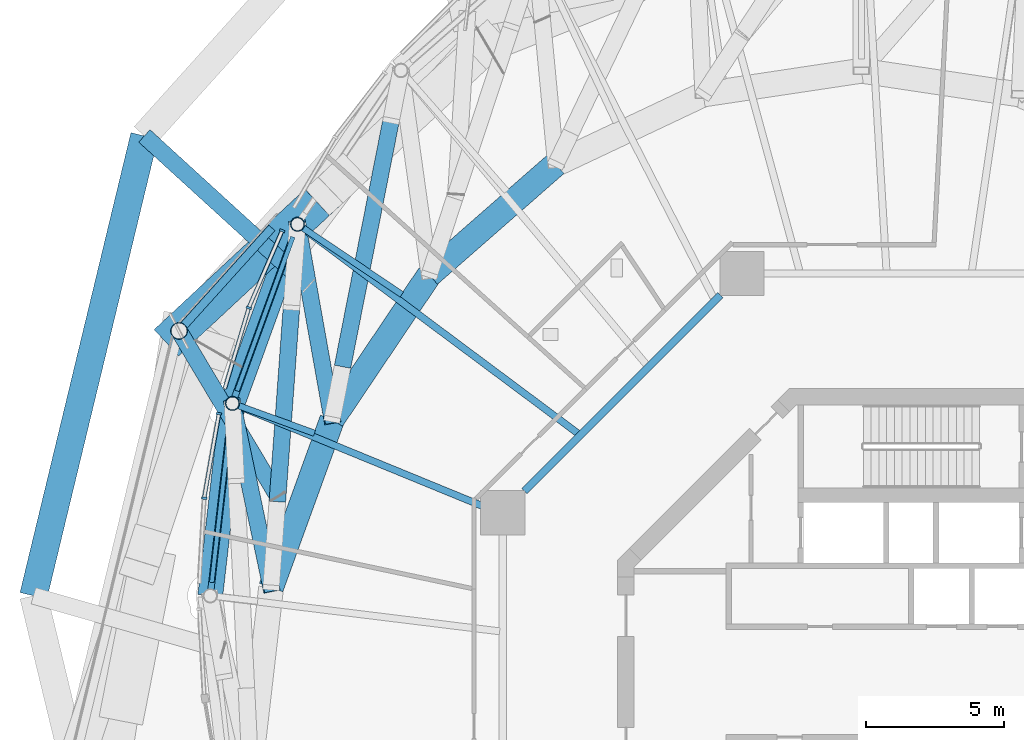
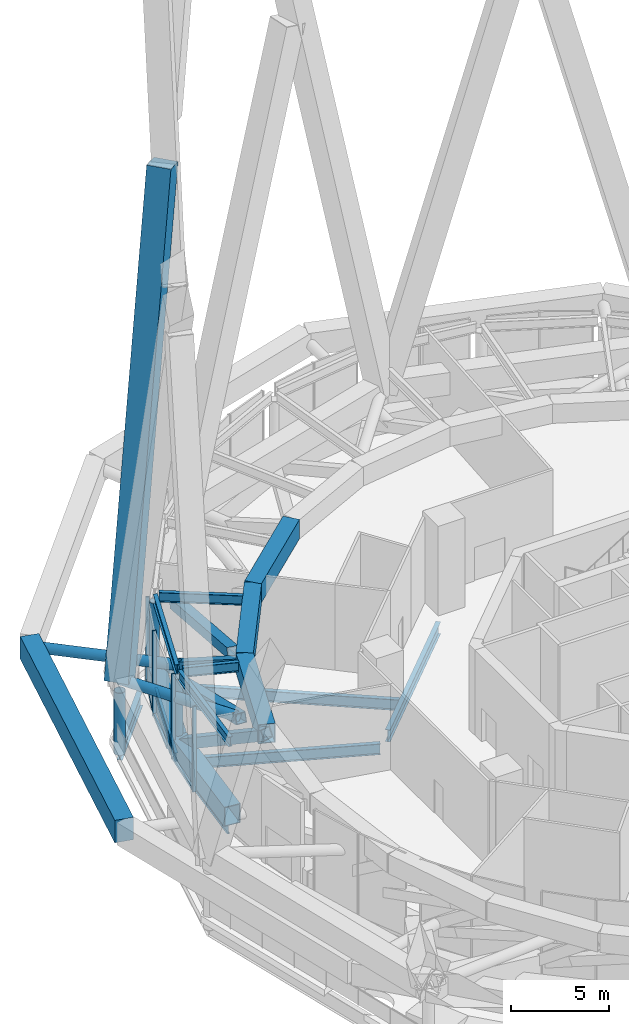
# One storey, part 17 of 48: 19 beams, 14 members, 4 elements without a shape of their own.
"""IFC4 building model written with IfcOpenShell, lengths in metres."""

from ifc_helpers import new_model, si_unit, direction, frame, origin, origin_2d, place, context, subcontext, project, spatial, rectangle, hollow_rectangle, hollow_circle, i_section, extrude, material, layer, layer_set, material_profile, profile_set, type_object, element, aggregate, save


model = new_model("IFC4")

# Units and contexts
model_context = context("Model", 3, precision=1e-05, world=origin(), true_north=direction((0.0, 1.0)))
body_context = subcontext(model_context, "Body", "Model", "MODEL_VIEW")
ifc_project = project(units=[si_unit("LENGTHUNIT", "METRE"), si_unit("AREAUNIT", "SQUARE_METRE"), si_unit("VOLUMEUNIT", "CUBIC_METRE"), si_unit("PLANEANGLEUNIT", "RADIAN"), si_unit("MASSUNIT", "GRAM", prefix="KILO")], contexts=[model_context])

# Site, building, storey
site_placement = place(None, origin())
site = spatial("IfcSite", under=ifc_project, at=site_placement, CompositionType="ELEMENT")
building_placement = place(site_placement, origin())
building = spatial("IfcBuilding", under=site, at=building_placement, Name="Nagisa Residences", CompositionType="ELEMENT")
storey_placement = place(building_placement, frame((0.0, 0.0, 252.89990234375)))
storey = spatial("IfcBuildingStorey", under=building, at=storey_placement, Name="L64", CompositionType="ELEMENT", Elevation=252.89990234375)

# Beams
ifc_material_1 = material(Name="Steel ASTM A572 Gr 50", Category="steel")
ifc_material_profile_1 = material_profile(ifc_material_1, hollow_rectangle(XDim=0.89990234375, YDim=1.199951171875, WallThickness=0.0400390625, at=origin_2d()), Name="BX 900x1200x40")
ifc_profile_set_1 = profile_set([ifc_material_profile_1], Name="Steel ASTM A572 Gr 50")
beam_type_1 = type_object("IfcBeamType", Name="Belt chord 5 BX 900x1200x40", PredefinedType="BEAM", material=ifc_profile_set_1)
beam_1_placement = place(storey_placement, frame((-12.860107421875, 18.74072265625, 4.739990234375), z_axis=(-0.752368013949, -0.658743023938, 0.0), x_axis=(0.658743023938, -0.752368013949, 0.0)))
element("IfcBeam", 1, at=beam_1_placement, inside=storey, type_object=beam_type_1, Name="beam:L64:bt5t09", PredefinedType="BEAM", context=body_context, shape_type="SweptSolid", body=[
    extrude(hollow_rectangle(XDim=0.89990234375, YDim=1.199951171875, WallThickness=0.0400390625, at=origin_2d()), origin(), (0.0, 0.0, 1.0), 6.0888671875),
])
beam_2_placement = place(storey_placement, frame((-17.441162109375, 14.729736328125, 4.739990234375), z_axis=(-0.558031639604, -0.8298196727, 0.0), x_axis=(0.8298196727, -0.558031639604, 0.0)))
element("IfcBeam", 2, at=beam_2_placement, inside=storey, type_object=beam_type_1, Name="beam:L64:bt5t10", PredefinedType="BEAM", context=body_context, shape_type="SweptSolid", body=[
    extrude(hollow_rectangle(XDim=0.89990234375, YDim=1.199951171875, WallThickness=0.0400390625, at=origin_2d()), origin(), (0.0, 0.0, 1.0), 6.299560546875),
])
beam_3_placement = place(storey_placement, frame((-22.212158203125, 16.562744140625, 0.60009765625), z_axis=(-0.341285604101, -0.939959646173, 0.0), x_axis=(0.939959646173, -0.341285604101, 0.0)))
element("IfcBeam", 3, at=beam_3_placement, inside=storey, type_object=beam_type_1, Name="beam:L64:bt5b11", PredefinedType="BEAM", context=body_context, shape_type="SweptSolid", body=[
    extrude(hollow_rectangle(XDim=0.89990234375, YDim=1.199951171875, WallThickness=0.0400390625, at=origin_2d()), origin(), (0.0, 0.0, 1.0), 6.899658203125),
])
beam_4_placement = place(storey_placement, frame((-20.95654296875, 9.502197265625, 4.739990234375), z_axis=(-0.341213297121, -0.939985896632, 0.0), x_axis=(0.939985896632, -0.341213297121, 0.0)))
element("IfcBeam", 4, at=beam_4_placement, inside=storey, type_object=beam_type_1, Name="beam:L64:bt5t11", PredefinedType="BEAM", context=body_context, shape_type="SweptSolid", body=[
    extrude(hollow_rectangle(XDim=0.89990234375, YDim=1.199951171875, WallThickness=0.0400390625, at=origin_2d()), origin(), (0.0, 0.0, 1.0), 6.47607421875),
])
beam_5_placement = place(storey_placement, frame((-24.56689453125, 10.077392578125, 0.60009765625), z_axis=(-0.114649239058, -0.99340603581, 0.0), x_axis=(0.99340603581, -0.114649239058, 0.0)))
element("IfcBeam", 5, at=beam_5_placement, inside=storey, type_object=beam_type_1, Name="beam:L64:bt5b12", PredefinedType="BEAM", context=body_context, shape_type="SweptSolid", body=[
    extrude(hollow_rectangle(XDim=0.89990234375, YDim=1.199951171875, WallThickness=0.0400390625, at=origin_2d()), origin(), (0.0, 0.0, 1.0), 7.005859375),
])
ifc_material_2 = material(Name="Steel ASTM A572 Gr 50", Category="steel")
ifc_material_profile_2 = material_profile(ifc_material_2, hollow_rectangle(XDim=0.60009765625, YDim=0.60009765625, WallThickness=0.034912109375, at=origin_2d()), Name="BX 600x600x35")
ifc_profile_set_2 = profile_set([ifc_material_profile_2], Name="Steel ASTM A572 Gr 50")
beam_type_2 = type_object("IfcBeamType", Name="Belt diagonal 5 BX 600x600x35", PredefinedType="BEAM", material=ifc_profile_set_2)
beam_6_placement = place(storey_placement, frame((-18.824462890625, 20.316650390625, 1.195068359375), z_axis=(-0.18413457629, -0.934000910503, 0.306164591346), x_axis=(0.981115454287, -0.193423021793, 0.0)))
element("IfcBeam", 6, at=beam_6_placement, inside=storey, type_object=beam_type_2, Name="beam:L64:bt5db10", PredefinedType="BEAM", context=body_context, shape_type="SweptSolid", body=[
    extrude(hollow_rectangle(XDim=0.60009765625, YDim=0.60009765625, WallThickness=0.034912109375, at=origin_2d()), origin(), (0.0, 0.0, 1.0), 9.63525390625),
])
beam_7_placement = place(storey_placement, frame((-22.212158203125, 16.562744140625, 0.60009765625), z_axis=(0.151635281402, -0.852672047081, 0.499957119722), x_axis=(0.984552728171, 0.175088336134, 0.0)))
element("IfcBeam", 7, at=beam_7_placement, inside=storey, type_object=beam_type_2, Name="beam:L64:bt5da11", PredefinedType="BEAM", context=body_context, shape_type="SweptSolid", body=[
    extrude(hollow_rectangle(XDim=0.60009765625, YDim=0.60009765625, WallThickness=0.034912109375, at=origin_2d()), origin(), (0.0, 0.0, 1.0), 8.280517578125),
])
beam_8_placement = place(storey_placement, frame((-22.43115234375, 13.545654296875, 1.550048828125), z_axis=(-0.069036593734, -0.951555472197, 0.299626654451), x_axis=(0.99737849844, -0.072361114205, 0.0)))
element("IfcBeam", 8, at=beam_8_placement, inside=storey, type_object=beam_type_2, Name="beam:L64:bt5db11", PredefinedType="BEAM", context=body_context, shape_type="SweptSolid", body=[
    extrude(hollow_rectangle(XDim=0.60009765625, YDim=0.60009765625, WallThickness=0.034912109375, at=origin_2d()), origin(), (0.0, 0.0, 1.0), 7.475830078125),
])
beam_9_placement = place(storey_placement, frame((-24.56689453125, 10.077392578125, 0.60009765625), z_axis=(0.175780161242, -0.83615837551, 0.519557990968), x_axis=(0.978609478205, 0.205726734205, 0.0)))
element("IfcBeam", 9, at=beam_9_placement, inside=storey, type_object=beam_type_2, Name="beam:L64:bt5da12", PredefinedType="BEAM", context=body_context, shape_type="SweptSolid", body=[
    extrude(hollow_rectangle(XDim=0.60009765625, YDim=0.60009765625, WallThickness=0.034912109375, at=origin_2d()), origin(), (0.0, 0.0, 1.0), 7.968017578125),
])

# Curtain wall, member
ifc_material_3 = material(Name="Aluminium curtain wall system", Category="aluminium")
ifc_layer = layer(ifc_material_3, 0.159912109375)
ifc_layer_set = layer_set([ifc_layer], Name="CW2 CURTAIN WALL")
curtain_wall_type = type_object("IfcCurtainWallType", Name="CW2 CURTAIN WALL", PredefinedType="NOTDEFINED", material=ifc_layer_set)
curtain_wall_1_placement = place(storey_placement, origin())
curtain_wall_1 = element("IfcCurtainWall", 10, at=curtain_wall_1_placement, inside=storey, type_object=curtain_wall_type, Name="cw:CW2:L64:20", PredefinedType="NOTDEFINED")
ifc_material_4 = material(Name="Aluminium", Category="aluminium")
ifc_material_profile_3 = material_profile(ifc_material_4, rectangle(XDim=0.199951171875, YDim=0.080078125, at=origin_2d()), Name="CW2 MULLION 200x80")
ifc_profile_set_3 = profile_set([ifc_material_profile_3], Name="Aluminium")
member_type_1 = type_object("IfcMemberType", Name="CW2 MULLION 200x80", PredefinedType="MULLION", material=ifc_profile_set_3)
member_1_placement = place(storey_placement, frame((-22.7666015625, 16.331298828125, 0.0), z_axis=(0.0, 0.0, 1.0), x_axis=(0.917543276295, -0.397635934147, 0.0)))
member_1 = element("IfcMember", 11, at=member_1_placement, type_object=member_type_1, Name="CW2 mullion", PredefinedType="MULLION", context=body_context, shape_type="SweptSolid", body=[
    extrude(rectangle(XDim=0.199951171875, YDim=0.080078125, at=origin_2d()), origin(), (0.0, 0.0, 1.0), 5.340087890625),
])

curtain_wall_2_placement = place(storey_placement, origin())
curtain_wall_2 = element("IfcCurtainWall", 12, at=curtain_wall_2_placement, inside=storey, type_object=curtain_wall_type, Name="cw:CW2:L64:21", PredefinedType="NOTDEFINED")
member_2_placement = place(storey_placement, frame((-23.97265625, 13.5380859375, 0.0), z_axis=(0.0, 0.0, 1.0), x_axis=(0.958271310082, -0.285860274038, 0.0)))
member_2 = element("IfcMember", 13, at=member_2_placement, type_object=member_type_1, Name="CW2 mullion", PredefinedType="MULLION", context=body_context, shape_type="SweptSolid", body=[
    extrude(rectangle(XDim=0.199951171875, YDim=0.080078125, at=origin_2d()), origin(), (0.0, 0.0, 1.0), 5.340087890625),
])

curtain_wall_3_placement = place(storey_placement, origin())
curtain_wall_3 = element("IfcCurtainWall", 14, at=curtain_wall_3_placement, inside=storey, type_object=curtain_wall_type, Name="cw:CW2:L64:22", PredefinedType="NOTDEFINED")
member_3_placement = place(storey_placement, frame((-25.055419921875, 9.710205078125, 0.0), z_axis=(0.0, 0.0, 1.0), x_axis=(0.985063604377, -0.172190868898, 0.0)))
member_3 = element("IfcMember", 15, at=member_3_placement, type_object=member_type_1, Name="CW2 mullion", PredefinedType="MULLION", context=body_context, shape_type="SweptSolid", body=[
    extrude(rectangle(XDim=0.199951171875, YDim=0.080078125, at=origin_2d()), origin(), (0.0, 0.0, 1.0), 5.340087890625),
])

curtain_wall_4_placement = place(storey_placement, origin())
curtain_wall_4 = element("IfcCurtainWall", 16, at=curtain_wall_4_placement, inside=storey, type_object=curtain_wall_type, Name="cw:CW2:L64:23", PredefinedType="NOTDEFINED")
member_4_placement = place(storey_placement, frame((-25.58642578125, 6.648193359375, 0.0), z_axis=(0.0, 0.0, 1.0), x_axis=(0.998345305184, -0.057503492216, 0.0)))
member_4 = element("IfcMember", 17, at=member_4_placement, type_object=member_type_1, Name="CW2 mullion", PredefinedType="MULLION", context=body_context, shape_type="SweptSolid", body=[
    extrude(rectangle(XDim=0.199951171875, YDim=0.080078125, at=origin_2d()), origin(), (0.0, 0.0, 1.0), 5.340087890625),
])
aggregate(curtain_wall_4, [member_4])

# Member
ifc_material_5 = material(Name="Aluminium", Category="aluminium")
ifc_material_profile_4 = material_profile(ifc_material_5, rectangle(XDim=0.139892578125, YDim=0.179931640625, at=origin_2d()), Name="CW2 TRANSOM 140x180")
ifc_profile_set_4 = profile_set([ifc_material_profile_4], Name="Aluminium")
member_type_2 = type_object("IfcMemberType", Name="CW2 TRANSOM 140x180", PredefinedType="USERDEFINED", material=ifc_profile_set_4)
member_5_placement = place(storey_placement, frame((-22.750732421875, 16.367919921875, 0.090087890625), z_axis=(-0.397652335812, -0.917536168128, 0.0), x_axis=(0.917536168128, -0.397652335812, 0.0)))
member_5 = element("IfcMember", 18, at=member_5_placement, type_object=member_type_2, Name="CW2 transom", ObjectType="TRANSOM", PredefinedType="USERDEFINED", context=body_context, shape_type="SweptSolid", body=[
    extrude(rectangle(XDim=0.139892578125, YDim=0.179931640625, at=origin_2d()), origin(), (0.0, 0.0, 1.0), 3.052001953125),
])

aggregate(curtain_wall_1, [member_1, member_5])

member_6_placement = place(storey_placement, frame((-23.961181640625, 13.576416015625, 0.090087890625), z_axis=(-0.285825485865, -0.958281686995, 0.0), x_axis=(0.958281686995, -0.285825485865, 0.0)))
member_6 = element("IfcMember", 19, at=member_6_placement, type_object=member_type_2, Name="CW2 transom", ObjectType="TRANSOM", PredefinedType="USERDEFINED", context=body_context, shape_type="SweptSolid", body=[
    extrude(rectangle(XDim=0.139892578125, YDim=0.179931640625, at=origin_2d()), origin(), (0.0, 0.0, 1.0), 3.09033203125),
])

aggregate(curtain_wall_2, [member_2, member_6])

member_7_placement = place(storey_placement, frame((-25.048583984375, 9.749755859375, 0.090087890625), z_axis=(-0.172140958487, -0.985072327502, 0.0), x_axis=(0.985072327502, -0.172140958487, 0.0)))
member_7 = element("IfcMember", 20, at=member_7_placement, type_object=member_type_2, Name="CW2 transom", ObjectType="TRANSOM", PredefinedType="USERDEFINED", context=body_context, shape_type="SweptSolid", body=[
    extrude(rectangle(XDim=0.139892578125, YDim=0.179931640625, at=origin_2d()), origin(), (0.0, 0.0, 1.0), 3.117431640625),
])

aggregate(curtain_wall_3, [member_3, member_7])

# Members
ifc_material_6 = material(Name="Concrete C80", Category="concrete")
ifc_material_profile_5 = material_profile(ifc_material_6, rectangle(XDim=1.300048828125, YDim=1.300048828125, at=origin_2d()), Name="C80 1300x1300")
ifc_profile_set_5 = profile_set([ifc_material_profile_5], Name="Concrete C80")
member_type_3 = type_object("IfcMemberType", Name="Cage diagonal 6 C80 1300x1300", PredefinedType="BRACE", material=ifc_profile_set_5)
member_8_placement = place(storey_placement, frame((-26.4990234375, 12.702392578125, 3.7001953125), z_axis=(0.193236695778, 0.17986801064, 0.964524275564), x_axis=(-0.681333267973, 0.731973345111, 0.0)))
element("IfcMember", 21, at=member_8_placement, inside=storey, type_object=member_type_3, Name="mem:L64:cg6d010a", PredefinedType="BRACE", context=body_context, shape_type="SweptSolid", body=[
    extrude(rectangle(XDim=1.300048828125, YDim=1.300048828125, at=origin_2d()), origin(), (0.0, 0.0, 1.0), 28.25146484375),
])
ifc_material_7 = material(Name="Concrete C80", Category="concrete")
ifc_material_profile_6 = material_profile(ifc_material_7, rectangle(XDim=1.0, YDim=1.39990234375, at=origin_2d()), Name="C80 1000x1400")
ifc_profile_set_6 = profile_set([ifc_material_profile_6], Name="Concrete C80")
member_type_4 = type_object("IfcMemberType", Name="Cage ring 5 C80 1000x1400", PredefinedType="CHORD", material=ifc_profile_set_6)
member_9_placement = place(storey_placement, frame((-27.7548828125, 19.7626953125, 1.900146484375), z_axis=(-0.234495574244, -0.972117187205, 0.0), x_axis=(0.972117187205, -0.234495574244, 0.0)))
element("IfcMember", 22, at=member_9_placement, inside=storey, type_object=member_type_4, Name="beam:L64:cg5r106", PredefinedType="CHORD", context=body_context, shape_type="SweptSolid", body=[
    extrude(rectangle(XDim=1.0, YDim=1.39990234375, at=origin_2d()), origin(), (0.0, 0.0, 1.0), 17.12255859375),
])
ifc_material_8 = material(Name="Steel ASTM A572 Gr 65", Category="steel")
ifc_material_profile_7 = material_profile(ifc_material_8, hollow_circle(Radius=0.304931640625, WallThickness=0.02490234375, at=origin_2d()), Name="CHS 610x25")
ifc_profile_set_7 = profile_set([ifc_material_profile_7], Name="Steel ASTM A572 Gr 65")
member_type_5 = type_object("IfcMemberType", Name="Cage strut CHS 610x25", PredefinedType="STRUT", material=ifc_profile_set_7)
member_10_placement = place(storey_placement, frame((-27.7548828125, 19.7626953125, 1.900146484375), z_axis=(0.73871826, -0.674014341347, 0.0), x_axis=(0.674014341347, 0.73871826, 0.0)))
element("IfcMember", 23, at=member_10_placement, inside=storey, type_object=member_type_5, Name="mem:L64:bt5st5a06", PredefinedType="STRUT", context=body_context, shape_type="SweptSolid", body=[
    extrude(hollow_circle(Radius=0.304931640625, WallThickness=0.02490234375, at=origin_2d()), origin(), (0.0, 0.0, 1.0), 8.036865234375),
])
member_11_placement = place(storey_placement, frame((-26.4990234375, 12.702392578125, 3.7001953125), z_axis=(0.512567904939, -0.858646692666, 0.0), x_axis=(0.858646692666, 0.512567904939, 0.0)))
element("IfcMember", 24, at=member_11_placement, inside=storey, type_object=member_type_5, Name="mem:L64:bt5st6b06", PredefinedType="STRUT", context=body_context, shape_type="SweptSolid", body=[
    extrude(hollow_circle(Radius=0.304931640625, WallThickness=0.02490234375, at=origin_2d()), origin(), (0.0, 0.0, 1.0), 6.9697265625),
])

# Beam
ifc_material_9 = material(Name="Steel ASTM A572 Gr 50", Category="steel")
ifc_material_profile_8 = material_profile(ifc_material_9, i_section(OverallWidth=0.300048828125, OverallDepth=0.97998046875, WebThickness=0.0166015625, FlangeThickness=0.02587890625, at=origin_2d()), Name="W1000x249")
ifc_profile_set_8 = profile_set([ifc_material_profile_8], Name="Steel ASTM A572 Gr 50")
beam_type_3 = type_object("IfcBeamType", Name="Deck edge beam W1000x249", PredefinedType="BEAM", material=ifc_profile_set_8)
beam_10_placement = place(storey_placement, frame((-23.13720703125, 16.431884765625, -0.889892578125), z_axis=(-0.669544785421, -0.742771687879, 0.0), x_axis=(0.742771687879, -0.669544785421, 0.0)))
element("IfcBeam", 25, at=beam_10_placement, inside=storey, type_object=beam_type_3, Name="beam:L64:deckedge03", PredefinedType="BEAM", context=body_context, shape_type="SweptSolid", body=[
    extrude(i_section(OverallWidth=0.300048828125, OverallDepth=0.97998046875, WebThickness=0.0166015625, FlangeThickness=0.02587890625, at=origin_2d()), origin(), (0.0, 0.0, 1.0), 5.02099609375),
])

# Member
ifc_material_10 = material(Name="Steel ASTM A572 Gr 65", Category="steel")
ifc_material_profile_9 = material_profile(ifc_material_10, hollow_circle(Radius=0.304931640625, WallThickness=0.02490234375, at=origin_2d()), Name="CHS 610x25")
ifc_profile_set_9 = profile_set([ifc_material_profile_9], Name="Steel ASTM A572 Gr 65")
member_type_6 = type_object("IfcMemberType", Name="Deck hanger CHS 610x25", PredefinedType="POST", material=ifc_profile_set_9)
member_12_placement = place(storey_placement, frame((-26.4990234375, 12.702392578125, 3.0), z_axis=(0.0, 0.0, -1.0), x_axis=(1.0, 0.0, 0.0)))
element("IfcMember", 26, at=member_12_placement, inside=storey, type_object=member_type_6, Name="mem:L64:deckhanger03", PredefinedType="POST", context=body_context, shape_type="SweptSolid", body=[
    extrude(hollow_circle(Radius=0.304931640625, WallThickness=0.02490234375, at=origin_2d()), origin(), (0.0, 0.0, 1.0), 3.889892578125),
])

# Beams
ifc_material_11 = material(Name="Steel ASTM A572 Gr 50", Category="steel")
ifc_material_profile_10 = material_profile(ifc_material_11, i_section(OverallWidth=0.22802734375, OverallDepth=0.60302734375, WebThickness=0.010498046875, FlangeThickness=0.014892578125, at=origin_2d()), Name="W610x101")
ifc_profile_set_10 = profile_set([ifc_material_profile_10], Name="Steel ASTM A572 Gr 50")
beam_type_4 = type_object("IfcBeamType", Name="Garden edge beam W610x101", PredefinedType="BEAM", material=ifc_profile_set_10)
beam_11_placement = place(storey_placement, frame((-22.2919921875, 16.3427734375, 5.03857421875), z_axis=(-0.341294989843, -0.939956238294, 0.0), x_axis=(0.939956238294, -0.341294989843, 0.0)))
element("IfcBeam", 27, at=beam_11_placement, inside=storey, type_object=beam_type_4, Name="beam:L64:bt5ge11", PredefinedType="BEAM", context=body_context, shape_type="SweptSolid", body=[
    extrude(i_section(OverallWidth=0.22802734375, OverallDepth=0.60302734375, WebThickness=0.010498046875, FlangeThickness=0.014892578125, at=origin_2d()), origin(), (0.0, 0.0, 1.0), 6.431640625),
])
beam_12_placement = place(storey_placement, frame((-24.59375, 9.844970703125, 5.03857421875), z_axis=(-0.114639698905, -0.993407136795, 0.0), x_axis=(0.993407136795, -0.114639698905, 0.0)))
element("IfcBeam", 28, at=beam_12_placement, inside=storey, type_object=beam_type_4, Name="beam:L64:bt5ge12", PredefinedType="BEAM", context=body_context, shape_type="SweptSolid", body=[
    extrude(i_section(OverallWidth=0.22802734375, OverallDepth=0.60302734375, WebThickness=0.010498046875, FlangeThickness=0.014892578125, at=origin_2d()), origin(), (0.0, 0.0, 1.0), 6.5380859375),
])

# Members
ifc_material_12 = material(Name="Steel ASTM A572 Gr 65", Category="steel")
ifc_material_profile_11 = material_profile(ifc_material_12, hollow_circle(Radius=0.25390625, WallThickness=0.02001953125, at=origin_2d()), Name="CHS 508x20")
ifc_profile_set_11 = profile_set([ifc_material_profile_11], Name="Steel ASTM A572 Gr 65")
member_type_7 = type_object("IfcMemberType", Name="Garden edge post CHS 508x20", PredefinedType="POST", material=ifc_profile_set_11)
for number, where, z_axis, x_axis, name in (
    (29, (-22.212158203125, 16.562744140625, 1.2001953125), (0.0, 0.0, 1.0), (1.0, 0.0, 0.0), "mem:L64:gp511"),
    (30, (-24.56689453125, 10.077392578125, 1.2001953125), (0.0, 0.0, 1.0), (1.0, 0.0, 0.0), "mem:L64:gp512"),
):
    element("IfcMember", number, at=place(storey_placement, frame(where, z_axis=z_axis, x_axis=x_axis)), inside=storey, type_object=member_type_7, Name=name, PredefinedType="POST", context=body_context, shape_type="SweptSolid", body=[
        extrude(hollow_circle(Radius=0.25390625, WallThickness=0.02001953125, at=origin_2d()), origin(), (0.0, 0.0, 1.0), 3.536865234375),
    ])

# Beams
ifc_material_13 = material(Name="Steel ASTM A572 Gr 50", Category="steel")
ifc_material_profile_12 = material_profile(ifc_material_13, i_section(OverallWidth=0.22802734375, OverallDepth=0.60302734375, WebThickness=0.010498046875, FlangeThickness=0.014892578125, at=origin_2d()), Name="W610x101")
ifc_profile_set_12 = profile_set([ifc_material_profile_12], Name="Steel ASTM A572 Gr 50")
beam_type_5 = type_object("IfcBeamType", Name="Garden radial beam W610x101", PredefinedType="BEAM", material=ifc_profile_set_12)
beam_13_placement = place(storey_placement, frame((-22.01806640625, 16.43212890625, 5.03857421875), z_axis=(0.829816839626, -0.558035852498, 0.0), x_axis=(0.558035852498, 0.829816839626, 0.0)))
element("IfcBeam", 31, at=beam_13_placement, inside=storey, type_object=beam_type_5, Name="beam:L64:bt5gr11", PredefinedType="BEAM", context=body_context, shape_type="SweptSolid", body=[
    extrude(i_section(OverallWidth=0.22802734375, OverallDepth=0.60302734375, WebThickness=0.010498046875, FlangeThickness=0.014892578125, at=origin_2d()), origin(), (0.0, 0.0, 1.0), 4.318115234375),
])
beam_14_placement = place(storey_placement, frame((-24.346923828125, 9.99755859375, 5.03857421875), z_axis=(0.939963843002, -0.341274045085, 0.0), x_axis=(0.341274045085, 0.939963843002, 0.0)))
element("IfcBeam", 32, at=beam_14_placement, inside=storey, type_object=beam_type_5, Name="beam:L64:bt5gr12", PredefinedType="BEAM", context=body_context, shape_type="SweptSolid", body=[
    extrude(i_section(OverallWidth=0.22802734375, OverallDepth=0.60302734375, WebThickness=0.010498046875, FlangeThickness=0.014892578125, at=origin_2d()), origin(), (0.0, 0.0, 1.0), 2.926025390625),
])
ifc_material_14 = material(Name="Steel ASTM A572 Gr 50", Category="steel")
ifc_material_profile_13 = material_profile(ifc_material_14, i_section(OverallWidth=0.264892578125, OverallDepth=0.7529296875, WebThickness=0.01318359375, FlangeThickness=0.01708984375, at=origin_2d()), Name="W760x147")
ifc_profile_set_13 = profile_set([ifc_material_profile_13], Name="Steel ASTM A572 Gr 50")
beam_type_6 = type_object("IfcBeamType", Name="Inner ring beam W760x147", PredefinedType="BEAM", material=ifc_profile_set_13)
beam_15_placement = place(storey_placement, frame((-6.90869140625, 13.99609375, -0.726318359375), z_axis=(-0.707106781187, -0.707106781187, 0.0), x_axis=(0.707106781187, -0.707106781187, 0.0)))
element("IfcBeam", 33, at=beam_15_placement, inside=storey, type_object=beam_type_6, Name="beam:L64:ib3", PredefinedType="BEAM", context=body_context, shape_type="SweptSolid", body=[
    extrude(i_section(OverallWidth=0.264892578125, OverallDepth=0.7529296875, WebThickness=0.01318359375, FlangeThickness=0.01708984375, at=origin_2d()), origin(), (0.0, 0.0, 1.0), 10.023193359375),
])
ifc_material_15 = material(Name="Steel ASTM A572 Gr 50", Category="steel")
ifc_material_profile_14 = material_profile(ifc_material_15, i_section(OverallWidth=0.166015625, OverallDepth=0.534912109375, WebThickness=0.01025390625, FlangeThickness=0.0166015625, at=origin_2d()), Name="W530x85")
ifc_profile_set_14 = profile_set([ifc_material_profile_14], Name="Steel ASTM A572 Gr 50")
beam_type_7 = type_object("IfcBeamType", Name="Perimeter ring beam W530x85", PredefinedType="BEAM", material=ifc_profile_set_14)
beam_16_placement = place(storey_placement, frame((-22.377197265625, 16.108154296875, -0.617431640625), z_axis=(-0.34127712749, -0.939962723863, 0.0), x_axis=(0.939962723863, -0.34127712749, 0.0)))
element("IfcBeam", 34, at=beam_16_placement, inside=storey, type_object=beam_type_7, Name="beam:L64:pb11", PredefinedType="BEAM", context=body_context, shape_type="SweptSolid", body=[
    extrude(i_section(OverallWidth=0.166015625, OverallDepth=0.534912109375, WebThickness=0.01025390625, FlangeThickness=0.0166015625, at=origin_2d()), origin(), (0.0, 0.0, 1.0), 5.9326171875),
])
beam_17_placement = place(storey_placement, frame((-24.622314453125, 9.59716796875, -0.617431640625), z_axis=(-0.114650193512, -0.993405925656, 0.0), x_axis=(0.993405925656, -0.114650193512, 0.0)))
element("IfcBeam", 35, at=beam_17_placement, inside=storey, type_object=beam_type_7, Name="beam:L64:pb12", PredefinedType="BEAM", context=body_context, shape_type="SweptSolid", body=[
    extrude(i_section(OverallWidth=0.166015625, OverallDepth=0.534912109375, WebThickness=0.01025390625, FlangeThickness=0.0166015625, at=origin_2d()), origin(), (0.0, 0.0, 1.0), 6.0390625),
])
ifc_material_16 = material(Name="Steel ASTM A572 Gr 50", Category="steel")
ifc_material_profile_15 = material_profile(ifc_material_16, i_section(OverallWidth=0.2529296875, OverallDepth=0.677978515625, WebThickness=0.01171875, FlangeThickness=0.016357421875, at=origin_2d()), Name="W690x125")
ifc_profile_set_15 = profile_set([ifc_material_profile_15], Name="Steel ASTM A572 Gr 50")
beam_type_8 = type_object("IfcBeamType", Name="Radial beam W690x125", PredefinedType="BEAM", material=ifc_profile_set_15)
beam_18_placement = place(storey_placement, frame((-21.90283203125, 16.33203125, -0.68896484375), z_axis=(0.801665939497, -0.597772298999, 0.0), x_axis=(0.597772298999, 0.801665939497, 0.0)))
element("IfcBeam", 36, at=beam_18_placement, inside=storey, type_object=beam_type_8, Name="beam:L64:rb11", PredefinedType="BEAM", context=body_context, shape_type="SweptSolid", body=[
    extrude(i_section(OverallWidth=0.2529296875, OverallDepth=0.677978515625, WebThickness=0.01171875, FlangeThickness=0.016357421875, at=origin_2d()), origin(), (0.0, 0.0, 1.0), 12.269775390625),
])
beam_19_placement = place(storey_placement, frame((-24.210693359375, 9.93115234375, -0.68896484375), z_axis=(0.925190014298, -0.379504199506, 0.0), x_axis=(0.379504199506, 0.925190014298, 0.0)))
element("IfcBeam", 37, at=beam_19_placement, inside=storey, type_object=beam_type_8, Name="beam:L64:rb12", PredefinedType="BEAM", context=body_context, shape_type="SweptSolid", body=[
    extrude(i_section(OverallWidth=0.2529296875, OverallDepth=0.677978515625, WebThickness=0.01171875, FlangeThickness=0.016357421875, at=origin_2d()), origin(), (0.0, 0.0, 1.0), 10.06787109375),
])

save(model, "model.ifc")
